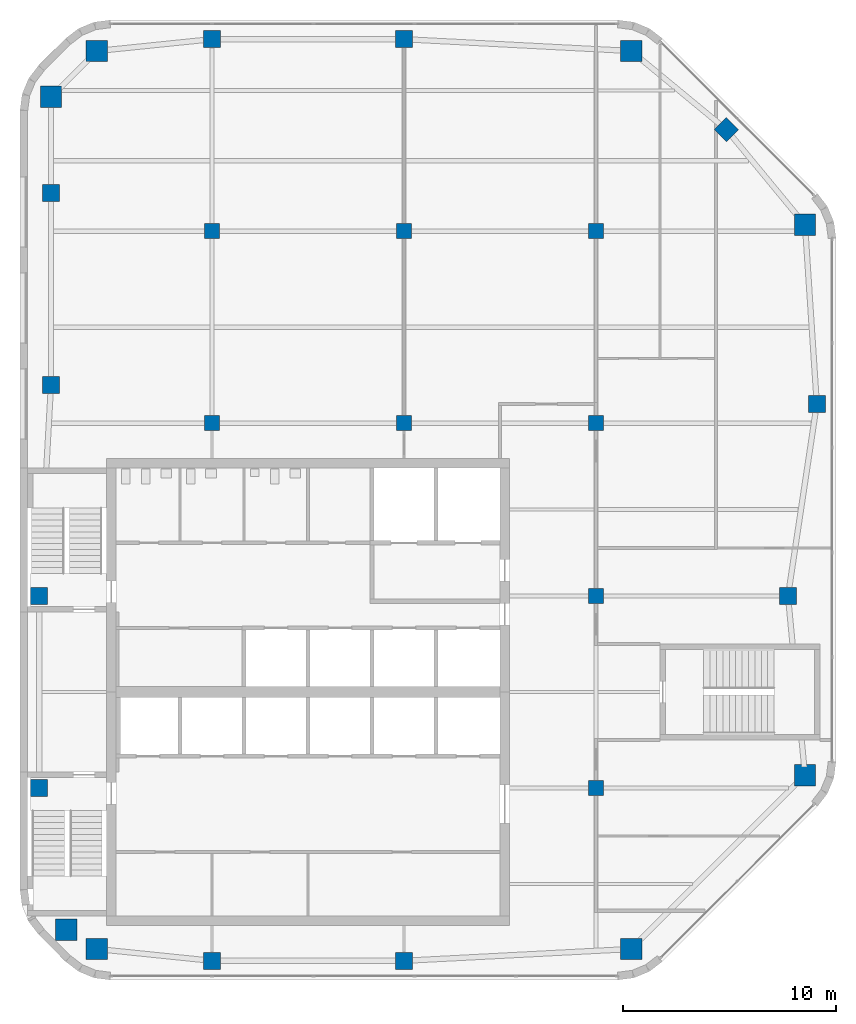
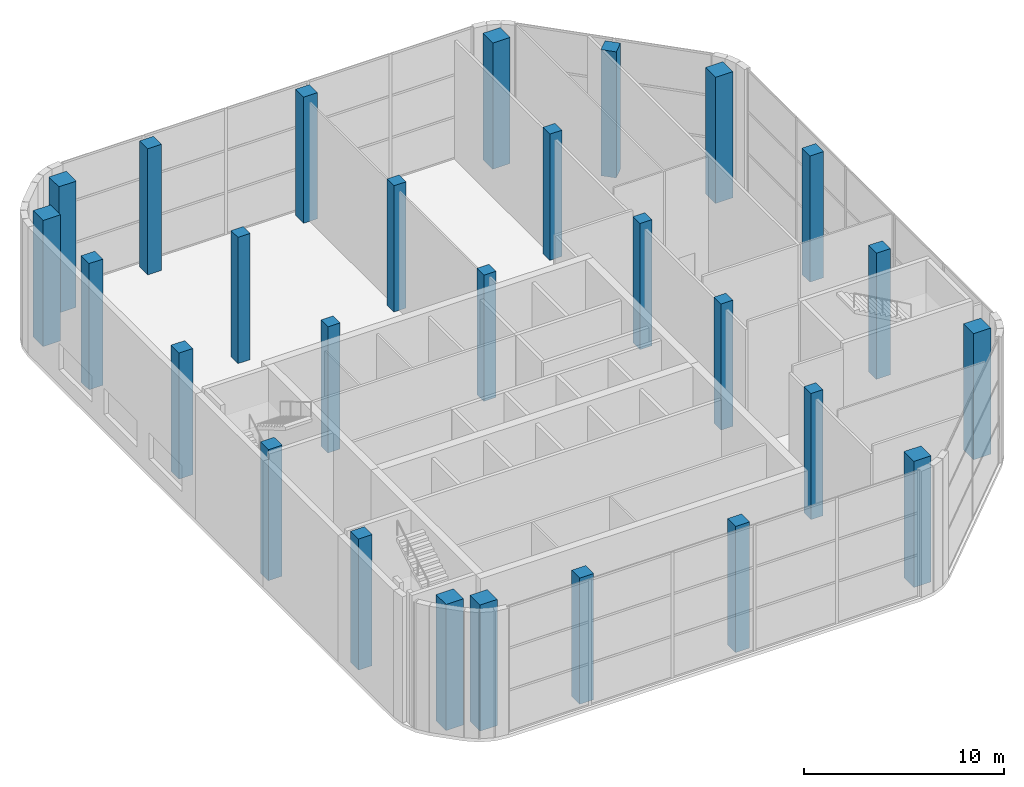
# One storey, part 1 of 12: 27 columns.
"""IFC4 building model written with IfcOpenShell, lengths in metres."""

import ifcopenshell
import ifcopenshell.guid

model = None  # the IFC model being written
_history = None  # IfcOwnerHistory: only IFC2X3 demands one
_inside = {}  # id of a spatial element -> (the spatial element, [elements in it])
_under = {}  # id of a project, library or spatial element -> (it, [spatial elements below it])
_declared = {}  # id of a project -> (the project, [libraries it declares])
_typed = {}  # id of a type object -> (the type object, [elements of that type])
_made_of = {}  # id of a material, layer set ... -> (it, [elements and type objects made of it])


def new_model(schema):
    """Start an empty IFC model of exactly this schema.

    Asked for "IFC4X3", IfcOpenShell would pick the latest addendum, in which some entities
    have other attributes; the version numbers below select the first issue.
    IFC2X3 requires an IfcOwnerHistory on every rooted entity: one is made here for all.
    """
    global model, _history
    if schema == "IFC4X3":
        model = ifcopenshell.file(schema_version=(4, 3, 0, 0))
    else:
        model = ifcopenshell.file(schema=schema)
    _inside.clear()
    _under.clear()
    _declared.clear()
    _typed.clear()
    _made_of.clear()
    _history = None
    if model.schema == "IFC2X3":
        org = make("IfcOrganization", Name="unknown")
        user = make(
            "IfcPersonAndOrganization",
            ThePerson=make("IfcPerson", FamilyName="unknown"),
            TheOrganization=org,
        )
        app = make(
            "IfcApplication",
            ApplicationDeveloper=org,
            Version="unknown",
            ApplicationFullName="unknown",
            ApplicationIdentifier="unknown",
        )
        _history = make(
            "IfcOwnerHistory",
            OwningUser=user,
            OwningApplication=app,
            ChangeAction="ADDED",
            CreationDate=0,
        )
    return model


def make(cls, **values):
    """One entity of the class cls with the attributes given. An attribute that is None is left unset."""
    return model.create_entity(
        cls, **{name: value for name, value in values.items() if value is not None}
    )


def rooted(cls, **values):
    """An entity with a GlobalId (a new one), such as an element, a storey or a relation."""
    return make(cls, GlobalId=ifcopenshell.guid.new(), OwnerHistory=_history, **values)


def si_unit(unit_type, name, prefix=None):
    """IfcSIUnit, for example si_unit("LENGTHUNIT", "METRE", prefix="MILLI")."""
    return make("IfcSIUnit", UnitType=unit_type, Prefix=prefix, Name=name)


def assignment(units):
    """IfcUnitAssignment: the units of a project."""
    return None if units is None else make("IfcUnitAssignment", Units=units)


def point(xyz):
    """IfcCartesianPoint."""
    return None if xyz is None else make("IfcCartesianPoint", Coordinates=xyz)


def direction(xyz):
    """IfcDirection."""
    return None if xyz is None else make("IfcDirection", DirectionRatios=xyz)


def frame(location, z_axis=None, x_axis=None):
    """IfcAxis2Placement3D, a coordinate frame: its origin and axes. An axis left out is left unset."""
    return make(
        "IfcAxis2Placement3D",
        Location=point(location),
        Axis=direction(z_axis),
        RefDirection=direction(x_axis),
    )


def frame_2d(location, x_axis=None):
    """IfcAxis2Placement2D, a coordinate frame in the plane: its origin and x axis."""
    return make(
        "IfcAxis2Placement2D", Location=point(location), RefDirection=direction(x_axis)
    )


def origin():
    """The frame at (0, 0, 0) with its axes left unset."""
    return frame((0.0, 0.0, 0.0))


def origin_2d():
    """The frame at (0, 0) in the plane with its x axis left unset."""
    return frame_2d((0.0, 0.0))


def place(relative_to, where):
    """IfcLocalPlacement: puts the frame where relative to a parent placement (None: the world)."""
    return make(
        "IfcLocalPlacement", PlacementRelTo=relative_to, RelativePlacement=where
    )


def context(
    kind, dimensions, precision=None, world=None, true_north=None, identifier=None
):
    """IfcGeometricRepresentationContext, for example the 3D "Model" context."""
    return make(
        "IfcGeometricRepresentationContext",
        ContextIdentifier=identifier,
        ContextType=kind,
        CoordinateSpaceDimension=dimensions,
        Precision=precision,
        WorldCoordinateSystem=world,
        TrueNorth=true_north,
    )


def subcontext(parent, identifier, kind, view, scale=None):
    """IfcGeometricRepresentationSubContext, for example "Body" below "Model"."""
    return make(
        "IfcGeometricRepresentationSubContext",
        ContextIdentifier=identifier,
        ContextType=kind,
        ParentContext=parent,
        TargetScale=scale,
        TargetView=view,
    )


def project(units=None, contexts=None):
    """IfcProject with its units and contexts."""
    return rooted(
        "IfcProject",
        Name="project",
        RepresentationContexts=contexts,
        UnitsInContext=assignment(units),
    )


def spatial(cls, under=None, at=None, **own):
    """A site, building, storey or space (cls), placed at a placement, below another one or the project."""
    s = rooted(cls, ObjectPlacement=at, **own)
    if under is not None:
        _under.setdefault(under.id(), (under, []))[1].append(s)
    return s


def profile(cls, at=None, kind="AREA", **sizes):
    """A parametric profile (cls). Its sizes go by their IFC names, for example OverallWidth=200.0."""
    return make(cls, ProfileType=kind, Position=at, **sizes)


def rectangle(**sizes):
    """IfcRectangleProfileDef."""
    return profile("IfcRectangleProfileDef", **sizes)


def extrude(swept, where, along, depth):
    """IfcExtrudedAreaSolid: the profile swept, set in the frame where, extruded along a direction by depth."""
    return make(
        "IfcExtrudedAreaSolid",
        SweptArea=swept,
        Position=where,
        ExtrudedDirection=direction(along),
        Depth=depth,
    )


def shape(context_of_items, identifier, shape_type, items):
    """IfcShapeRepresentation: the items that make up one representation, for example the "Body"."""
    return make(
        "IfcShapeRepresentation",
        ContextOfItems=context_of_items,
        RepresentationIdentifier=identifier,
        RepresentationType=shape_type,
        Items=items,
    )


def material(Name=None, Category=None):
    """IfcMaterial."""
    return make("IfcMaterial", Name=Name, Category=Category)


def material_profile(
    of_material, cross_section, Name=None, Category=None, Priority=None
):
    """IfcMaterialProfile: a cross section and its material."""
    return make(
        "IfcMaterialProfile",
        Name=Name,
        Material=of_material,
        Profile=cross_section,
        Priority=Priority,
        Category=Category,
    )


def profile_set(profiles, Name=None, composite=None):
    """IfcMaterialProfileSet."""
    return make(
        "IfcMaterialProfileSet",
        Name=Name,
        MaterialProfiles=profiles,
        CompositeProfile=composite,
    )


def made_of(thing, what):
    """Note that an element or type object is made of a material, layer set ...; save() writes the relation."""
    if what is not None:
        _made_of.setdefault(what.id(), (what, []))[1].append(thing)
    return thing


def type_object(cls, material=None, **own):
    """A type object (cls), such as IfcWallType, which elements share."""
    return made_of(rooted(cls, **own), material)


def element(
    cls,
    number,
    at=None,
    inside=None,
    cuts=None,
    type_object=None,
    material=None,
    context=None,
    identifier="Body",
    shape_type=None,
    held_by="IfcProductDefinitionShape",
    body=None,
    shapes=None,
    **own,
):
    """One element of the class cls, such as IfcWall. Its Tag is "e" and its number.

    at: its placement. inside: the storey or other place that contains it. cuts: it is an
    opening in that element (IfcRelVoidsElement). A single representation is given by context,
    identifier, shape_type and body (its items); several are given by shapes. held_by: the class
    of the entity that holds the representations. save() writes the other relations.
    """
    e = rooted(cls, Tag="e%d" % number, ObjectPlacement=at, **own)
    if body is not None:
        shapes = [shape(context, identifier, shape_type, body)]
    if shapes is not None:
        e.Representation = make(held_by, Representations=shapes)
    if inside is not None:
        _inside.setdefault(inside.id(), (inside, []))[1].append(e)
    if cuts is not None:
        rooted(
            "IfcRelVoidsElement", RelatingBuildingElement=cuts, RelatedOpeningElement=e
        )
    if type_object is not None:
        _typed.setdefault(type_object.id(), (type_object, []))[1].append(e)
    return made_of(e, material)


def aggregate(whole, parts):
    """IfcRelAggregates: a whole, such as a stair, and the parts it consists of."""
    return rooted("IfcRelAggregates", RelatingObject=whole, RelatedObjects=parts)


def save(model, path):
    """Write the relations noted so far, then the file.

    IfcRelAggregates (storeys below a building ...), IfcRelContainedInSpatialStructure (elements
    in a storey), IfcRelDefinesByType, IfcRelAssociatesMaterial and IfcRelDeclares: one each for
    every whole, place, type object, material and project.
    """
    for whole, parts in _under.values():
        aggregate(whole, parts)
    for where, things in _inside.values():
        rooted(
            "IfcRelContainedInSpatialStructure",
            RelatedElements=things,
            RelatingStructure=where,
        )
    for kind, things in _typed.values():
        rooted("IfcRelDefinesByType", RelatedObjects=things, RelatingType=kind)
    for what, things in _made_of.values():
        rooted("IfcRelAssociatesMaterial", RelatedObjects=things, RelatingMaterial=what)
    for by, libraries in _declared.values():
        rooted("IfcRelDeclares", RelatingContext=by, RelatedDefinitions=libraries)
    model.write(path)


model = new_model("IFC4")

# Units and contexts
model_context = context("Model", 3, precision=1e-05, world=origin(), true_north=direction((0.0, 1.0)))
body_context = subcontext(model_context, "Body", "Model", "MODEL_VIEW")
ifc_project = project(units=[si_unit("LENGTHUNIT", "METRE"), si_unit("AREAUNIT", "SQUARE_METRE"), si_unit("VOLUMEUNIT", "CUBIC_METRE"), si_unit("PLANEANGLEUNIT", "RADIAN"), si_unit("MASSUNIT", "GRAM", prefix="KILO")], contexts=[model_context])

# Site, building, storey
site_placement = place(None, origin())
site = spatial("IfcSite", under=ifc_project, at=site_placement, CompositionType="ELEMENT")
building_placement = place(site_placement, origin())
building = spatial("IfcBuilding", under=site, at=building_placement, Name="Cinnabar Reach Civic Tower", CompositionType="ELEMENT")
storey_placement = place(building_placement, frame((0.0, 0.0, 283.0)))
storey = spatial("IfcBuildingStorey", under=building, at=storey_placement, Name="L68", CompositionType="ELEMENT", Elevation=283.0)

# Columns
ifc_material_1 = material(Name="Concrete C70", Category="concrete")
ifc_material_profile_1 = material_profile(ifc_material_1, rectangle(XDim=1.0, YDim=1.0, at=origin_2d()), Name="RC1000")
ifc_profile_set_1 = profile_set([ifc_material_profile_1], Name="Concrete C70")
column_type_1 = type_object("IfcColumnType", Name="RC1000 column R 240", PredefinedType="COLUMN", material=ifc_profile_set_1)
for number, where, z_axis, x_axis, name in (
    (1, (3.6019, 19.4531, 0.0), (0.0, 0.0, 1.0), (1.0, 0.0, 0.0), "Column T1-Z5-CC0"),
    (2, (28.6481, 19.4531, 0.0), (0.0, 0.0, 1.0), (1.0, 0.0, 0.0), "Column T1-Z5-CC1"),
    (3, (36.7969, 27.6019, 0.0), (0.0, 0.0, 1.0), (1.0, 0.0, 0.0), "Column T1-Z5-CC2"),
    (4, (36.7969, 53.3981, 0.0), (0.0, 0.0, 1.0), (1.0, 0.0, 0.0), "Column T1-Z5-CC3"),
    (5, (28.6481, 61.5469, 0.0), (0.0, 0.0, 1.0), (1.0, 0.0, 0.0), "Column T1-Z5-CC4"),
    (6, (3.6019, 61.5469, 0.0), (0.0, 0.0, 1.0), (1.0, 0.0, 0.0), "Column T1-Z5-CC5"),
    (7, (1.4531, 59.3981, 0.0), (0.0, 0.0, 1.0), (1.0, 0.0, 0.0), "Column T1-Z5-CC6"),
    (8, (2.1631, 20.35, 0.0), (0.0, 0.0, 1.0), (1.0, 0.0, 0.0), "Column T1-Z5-CC7"),
):
    element("IfcColumn", number, at=place(storey_placement, frame(where, z_axis=z_axis, x_axis=x_axis)), inside=storey, type_object=column_type_1, Name=name, PredefinedType="COLUMN", context=body_context, shape_type="SweptSolid", body=[
        extrude(rectangle(XDim=1.0, YDim=1.0, at=origin_2d()), origin(), (0.0, 0.0, 1.0), 7.7),
    ])
ifc_material_2 = material(Name="Concrete C60", Category="concrete")
ifc_material_profile_2 = material_profile(ifc_material_2, rectangle(XDim=0.7, YDim=0.7, at=origin_2d()), Name="RC700")
ifc_profile_set_2 = profile_set([ifc_material_profile_2], Name="Concrete C60")
column_type_2 = type_object("IfcColumnType", Name="RC700 column R 240", PredefinedType="COLUMN", material=ifc_profile_set_2)
for number, where, z_axis, x_axis, name in (
    (9, (9.0, 44.1, 0.0), (0.0, 0.0, 1.0), (1.0, 0.0, 0.0), "Column T1-Z5-I9_45"),
    (10, (9.0, 53.1, 0.0), (0.0, 0.0, 1.0), (1.0, 0.0, 0.0), "Column T1-Z5-I9_54"),
    (11, (18.0, 44.1, 0.0), (0.0, 0.0, 1.0), (1.0, 0.0, 0.0), "Column T1-Z5-I18_45"),
    (12, (18.0, 53.1, 0.0), (0.0, 0.0, 1.0), (1.0, 0.0, 0.0), "Column T1-Z5-I18_54"),
    (13, (27.0, 27.0, 0.0), (0.0, 0.0, 1.0), (1.0, 0.0, 0.0), "Column T1-Z5-I27_27"),
    (14, (27.0, 36.0, 0.0), (0.0, 0.0, 1.0), (1.0, 0.0, 0.0), "Column T1-Z5-I27_36"),
    (15, (27.0, 44.1, 0.0), (0.0, 0.0, 1.0), (1.0, 0.0, 0.0), "Column T1-Z5-I27_45"),
    (16, (27.0, 53.1, 0.0), (0.0, 0.0, 1.0), (1.0, 0.0, 0.0), "Column T1-Z5-I27_54"),
):
    element("IfcColumn", number, at=place(storey_placement, frame(where, z_axis=z_axis, x_axis=x_axis)), inside=storey, type_object=column_type_2, Name=name, PredefinedType="COLUMN", context=body_context, shape_type="SweptSolid", body=[
        extrude(rectangle(XDim=0.7, YDim=0.7, at=origin_2d()), origin(), (0.0, 0.0, 1.0), 7.7),
    ])
ifc_material_profile_3 = material_profile(ifc_material_2, rectangle(XDim=0.8, YDim=0.8, at=origin_2d()), Name="RC800")
ifc_profile_set_3 = profile_set([ifc_material_profile_3], Name="Concrete C60")
column_type_3 = type_object("IfcColumnType", Name="RC800 column R 240", PredefinedType="COLUMN", material=ifc_profile_set_3)
for number, where, z_axis, x_axis, name in (
    (17, (9.0, 18.9, 0.0), (0.0, 0.0, 1.0), (1.0, 0.0, 0.0), "Column T1-Z5-F0-1"),
    (18, (18.0, 18.9, 0.0), (0.0, 0.0, 1.0), (1.0, 0.0, 0.0), "Column T1-Z5-F0-2"),
    (19, (36.0, 36.0, 0.0), (0.0, 0.0, 1.0), (1.0, 0.0, 0.0), "Column T1-Z5-F2-4"),
    (20, (37.35, 45.0, 0.0), (0.0, 0.0, 1.0), (1.0, 0.0, 0.0), "Column T1-Z5-F2-5"),
    (21, (33.1136, 57.8636, 0.0), (0.0, 0.0, 1.0), (0.707106781187, 0.707106781187, 0.0), "Column T1-Z5-F3-M"),
    (22, (9.0, 62.1, 0.0), (0.0, 0.0, 1.0), (1.0, 0.0, 0.0), "Column T1-Z5-F4-1"),
    (23, (18.0, 62.1, 0.0), (0.0, 0.0, 1.0), (1.0, 0.0, 0.0), "Column T1-Z5-F4-2"),
):
    element("IfcColumn", number, at=place(storey_placement, frame(where, z_axis=z_axis, x_axis=x_axis)), inside=storey, type_object=column_type_3, Name=name, PredefinedType="COLUMN", context=body_context, shape_type="SweptSolid", body=[
        extrude(rectangle(XDim=0.8, YDim=0.8, at=origin_2d()), origin(), (0.0, 0.0, 1.0), 7.7),
    ])
for number, where, z_axis, x_axis, name in (
    (24, (0.9, 27.0, 0.0), (0.0, 0.0, 1.0), (1.0, 0.0, 0.0), "Column T1-Z5-F6-3"),
    (25, (0.9, 36.0, 0.0), (0.0, 0.0, 1.0), (1.0, 0.0, 0.0), "Column T1-Z5-F6-4"),
):
    element("IfcColumn", number, at=place(storey_placement, frame(where, z_axis=z_axis, x_axis=x_axis)), inside=storey, type_object=column_type_3, Name=name, PredefinedType="COLUMN", context=body_context, shape_type="SweptSolid", body=[
        extrude(rectangle(XDim=0.8, YDim=0.8, at=origin_2d()), origin(), (0.0, 0.0, 1.0), 8.0),
    ])
for number, where, z_axis, x_axis, name in (
    (26, (1.4531, 45.8981, 0.0), (0.0, 0.0, 1.0), (1.0, 0.0, 0.0), "Column T1-Z5-F6-5"),
    (27, (1.4531, 54.8981, 0.0), (0.0, 0.0, 1.0), (1.0, 0.0, 0.0), "Column T1-Z5-F6-6"),
):
    element("IfcColumn", number, at=place(storey_placement, frame(where, z_axis=z_axis, x_axis=x_axis)), inside=storey, type_object=column_type_3, Name=name, PredefinedType="COLUMN", context=body_context, shape_type="SweptSolid", body=[
        extrude(rectangle(XDim=0.8, YDim=0.8, at=origin_2d()), origin(), (0.0, 0.0, 1.0), 7.7),
    ])

save(model, "model.ifc")
